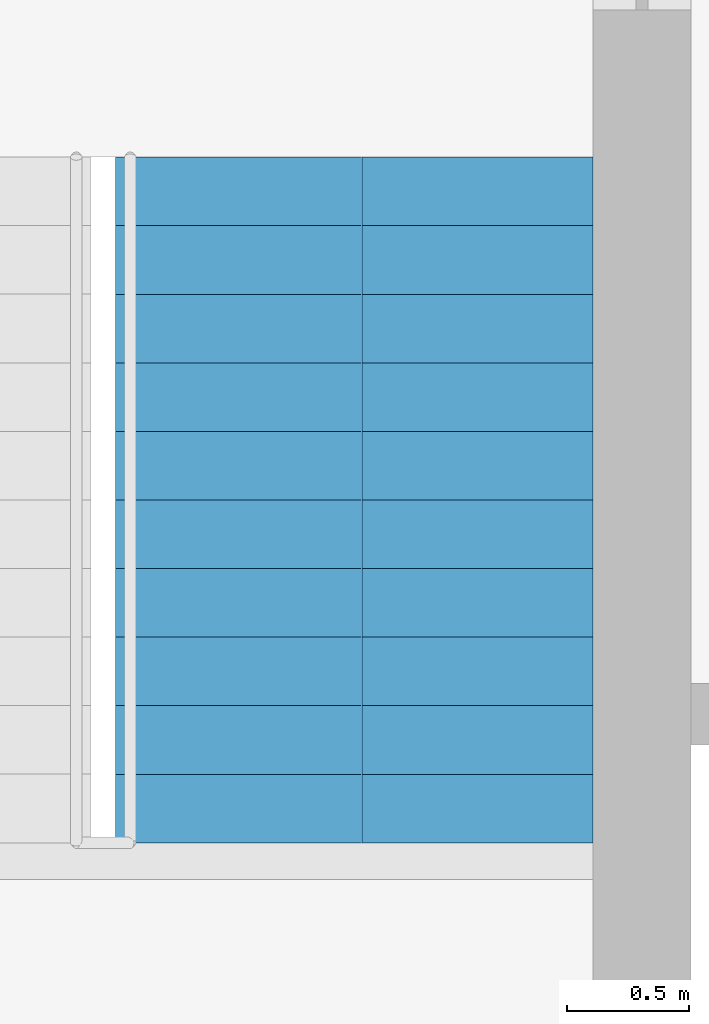
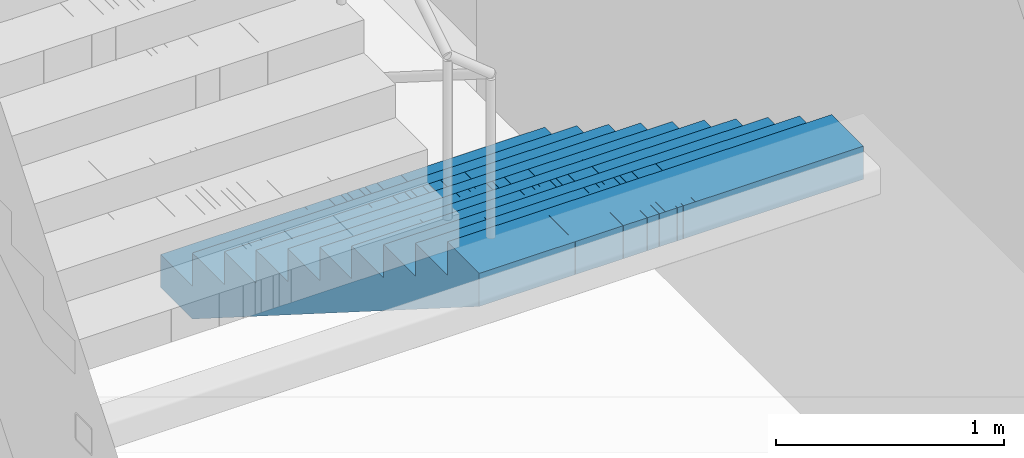
# One storey, part 19 of 20: 1 stair flight, 1 element without a shape of its own.
"""IFC4 building model written with IfcOpenShell, lengths in metres."""

from ifc_helpers import new_model, si_unit, direction, frame, origin, place, context, subcontext, project, spatial, polyline, outline, extrude, material, type_object, element, aggregate, save


model = new_model("IFC4")

# Units and contexts
model_context = context("Model", 3, precision=1e-05, world=origin(), true_north=direction((0.0, 1.0)))
body_context = subcontext(model_context, "Body", "Model", "MODEL_VIEW")
ifc_project = project(units=[si_unit("LENGTHUNIT", "METRE"), si_unit("AREAUNIT", "SQUARE_METRE"), si_unit("VOLUMEUNIT", "CUBIC_METRE"), si_unit("PLANEANGLEUNIT", "RADIAN"), si_unit("MASSUNIT", "GRAM", prefix="KILO")], contexts=[model_context])

# Site, building, storey
site_placement = place(None, origin())
site = spatial("IfcSite", under=ifc_project, at=site_placement, CompositionType="ELEMENT")
building_placement = place(site_placement, origin())
building = spatial("IfcBuilding", under=site, at=building_placement, Name="Mizan Broadcast Tower", CompositionType="ELEMENT")
storey_placement = place(building_placement, frame((0.0, 0.0, 147.60009765625)))
storey = spatial("IfcBuildingStorey", under=building, at=storey_placement, Name="L33", CompositionType="ELEMENT", Elevation=147.60009765625)

# Stair, stair flight
ifc_material_1 = material(Name="Concrete C40/50", Category="concrete")
stair_type = type_object("IfcStairType", Name="EXIT STAIR", PredefinedType="HALF_TURN_STAIR", material=ifc_material_1)
stair_placement = place(storey_placement, origin())
stair = element("IfcStair", 1, at=stair_placement, inside=storey, type_object=stair_type, Name="Stair B L33", PredefinedType="HALF_TURN_STAIR")
ifc_material_2 = material(Name="Concrete C40/50", Category="concrete")
stair_flight_type = type_object("IfcStairFlightType", Name="EXIT STAIR FLIGHT", PredefinedType="STRAIGHT", material=ifc_material_2)
stair_flight_placement = place(storey_placement, frame((1.02490234375, 7.89990234375, 0.0), z_axis=(0.0, 0.0, 1.0), x_axis=(0.0, -1.0, 0.0)))
stair_flight = element("IfcStairFlight", 2, at=stair_flight_placement, type_object=stair_flight_type, Name="B flight 1", NumberOfRisers=11, NumberOfTreads=10, PredefinedType="STRAIGHT", RiserHeight=0.177272727, TreadLength=0.28, context=body_context, shape_type="SweptSolid", body=[
    extrude(outline(polyline([(0.0, 0.0), (0.0, 0.17724609375), (0.280029296875, 0.17724609375), (0.280029296875, 0.3544921875), (0.56005859375, 0.3544921875), (0.56005859375, 0.53173828125), (0.840087890625, 0.53173828125), (0.840087890625, 0.708984375), (1.1201171875, 0.708984375), (1.1201171875, 0.886474609375), (1.39990234375, 0.886474609375), (1.39990234375, 1.063720703125), (1.679931640625, 1.063720703125), (1.679931640625, 1.240966796875), (1.9599609375, 1.240966796875), (1.9599609375, 1.418212890625), (2.239990234375, 1.418212890625), (2.239990234375, 1.595458984375), (2.52001953125, 1.595458984375), (2.52001953125, 1.772705078125), (2.800048828125, 1.772705078125), (2.800048828125, 1.949951171875), (2.800048828125, 1.59521484375), (0.2802734375, 0.0), (0.0, 0.0)])), frame((0.0, 0.97509765625, 0.0), z_axis=(0.0, -1.0, 0.0), x_axis=(1.0, 0.0, 0.0)), (0.0, 0.0, 1.0), 0.4873046875),
    extrude(outline(polyline([(0.0, 0.0), (0.0, 0.17724609375), (0.280029296875, 0.17724609375), (0.280029296875, 0.3544921875), (0.56005859375, 0.3544921875), (0.56005859375, 0.53173828125), (0.840087890625, 0.53173828125), (0.840087890625, 0.708984375), (1.1201171875, 0.708984375), (1.1201171875, 0.886474609375), (1.39990234375, 0.886474609375), (1.39990234375, 1.063720703125), (1.679931640625, 1.063720703125), (1.679931640625, 1.240966796875), (1.9599609375, 1.240966796875), (1.9599609375, 1.418212890625), (2.239990234375, 1.418212890625), (2.239990234375, 1.595458984375), (2.52001953125, 1.595458984375), (2.52001953125, 1.772705078125), (2.800048828125, 1.772705078125), (2.800048828125, 1.949951171875), (2.800048828125, 1.59521484375), (0.2802734375, 0.0), (0.0, 0.0)])), frame((0.0, 0.4873046875, 0.0), z_axis=(0.0, -1.0, 0.0), x_axis=(1.0, 0.0, 0.0)), (0.0, 0.0, 1.0), 0.2431640625),
    extrude(outline(polyline([(0.0, 0.0), (0.0, 0.17724609375), (0.280029296875, 0.17724609375), (0.280029296875, 0.3544921875), (0.56005859375, 0.3544921875), (0.56005859375, 0.53173828125), (0.840087890625, 0.53173828125), (0.840087890625, 0.708984375), (1.1201171875, 0.708984375), (1.1201171875, 0.886474609375), (1.39990234375, 0.886474609375), (1.39990234375, 1.063720703125), (1.679931640625, 1.063720703125), (1.679931640625, 1.240966796875), (1.9599609375, 1.240966796875), (1.9599609375, 1.418212890625), (2.239990234375, 1.418212890625), (2.239990234375, 1.595458984375), (2.52001953125, 1.595458984375), (2.52001953125, 1.772705078125), (2.800048828125, 1.772705078125), (2.800048828125, 1.949951171875), (2.800048828125, 1.59521484375), (0.2802734375, 0.0), (0.0, 0.0)])), frame((0.0, 0.24365234375, 0.0), z_axis=(0.0, -1.0, 0.0), x_axis=(1.0, 0.0, 0.0)), (0.0, 0.0, 1.0), 0.121337890625),
    extrude(outline(polyline([(0.0, 0.0), (0.0, 0.17724609375), (0.280029296875, 0.17724609375), (0.280029296875, 0.3544921875), (0.56005859375, 0.3544921875), (0.56005859375, 0.53173828125), (0.840087890625, 0.53173828125), (0.840087890625, 0.708984375), (1.1201171875, 0.708984375), (1.1201171875, 0.886474609375), (1.39990234375, 0.886474609375), (1.39990234375, 1.063720703125), (1.679931640625, 1.063720703125), (1.679931640625, 1.240966796875), (1.9599609375, 1.240966796875), (1.9599609375, 1.418212890625), (2.239990234375, 1.418212890625), (2.239990234375, 1.595458984375), (2.52001953125, 1.595458984375), (2.52001953125, 1.772705078125), (2.800048828125, 1.772705078125), (2.800048828125, 1.949951171875), (2.800048828125, 1.59521484375), (0.2802734375, 0.0), (0.0, 0.0)])), frame((0.0, 0.121826171875, 0.0), z_axis=(0.0, -1.0, 0.0), x_axis=(1.0, 0.0, 0.0)), (0.0, 0.0, 1.0), 0.060546875),
    extrude(outline(polyline([(0.0, 0.0), (0.0, 0.17724609375), (0.280029296875, 0.17724609375), (0.280029296875, 0.3544921875), (0.56005859375, 0.3544921875), (0.56005859375, 0.53173828125), (0.840087890625, 0.53173828125), (0.840087890625, 0.708984375), (1.1201171875, 0.708984375), (1.1201171875, 0.886474609375), (1.39990234375, 0.886474609375), (1.39990234375, 1.063720703125), (1.679931640625, 1.063720703125), (1.679931640625, 1.240966796875), (1.9599609375, 1.240966796875), (1.9599609375, 1.418212890625), (2.239990234375, 1.418212890625), (2.239990234375, 1.595458984375), (2.52001953125, 1.595458984375), (2.52001953125, 1.772705078125), (2.800048828125, 1.772705078125), (2.800048828125, 1.949951171875), (2.800048828125, 1.59521484375), (0.2802734375, 0.0), (0.0, 0.0)])), frame((0.0, 0.060791015625, 0.0), z_axis=(0.0, -1.0, 0.0), x_axis=(1.0, 0.0, 0.0)), (0.0, 0.0, 1.0), 0.030029296875),
    extrude(outline(polyline([(0.0, 0.0), (0.0, 0.17724609375), (0.280029296875, 0.17724609375), (0.280029296875, 0.3544921875), (0.56005859375, 0.3544921875), (0.56005859375, 0.53173828125), (0.840087890625, 0.53173828125), (0.840087890625, 0.708984375), (1.1201171875, 0.708984375), (1.1201171875, 0.886474609375), (1.39990234375, 0.886474609375), (1.39990234375, 1.063720703125), (1.679931640625, 1.063720703125), (1.679931640625, 1.240966796875), (1.9599609375, 1.240966796875), (1.9599609375, 1.418212890625), (2.239990234375, 1.418212890625), (2.239990234375, 1.595458984375), (2.52001953125, 1.595458984375), (2.52001953125, 1.772705078125), (2.800048828125, 1.772705078125), (2.800048828125, 1.949951171875), (2.800048828125, 1.59521484375), (0.2802734375, 0.0), (0.0, 0.0)])), frame((0.0, 0.0302734375, 0.0), z_axis=(0.0, -1.0, 0.0), x_axis=(1.0, 0.0, 0.0)), (0.0, 0.0, 1.0), 0.060302734375),
    extrude(outline(polyline([(0.0, 0.0), (0.0, 0.17724609375), (0.280029296875, 0.17724609375), (0.280029296875, 0.3544921875), (0.56005859375, 0.3544921875), (0.56005859375, 0.53173828125), (0.840087890625, 0.53173828125), (0.840087890625, 0.708984375), (1.1201171875, 0.708984375), (1.1201171875, 0.886474609375), (1.39990234375, 0.886474609375), (1.39990234375, 1.063720703125), (1.679931640625, 1.063720703125), (1.679931640625, 1.240966796875), (1.9599609375, 1.240966796875), (1.9599609375, 1.418212890625), (2.239990234375, 1.418212890625), (2.239990234375, 1.595458984375), (2.52001953125, 1.595458984375), (2.52001953125, 1.772705078125), (2.800048828125, 1.772705078125), (2.800048828125, 1.949951171875), (2.800048828125, 1.59521484375), (0.2802734375, 0.0), (0.0, 0.0)])), frame((0.0, -0.030517578125, 0.0), z_axis=(0.0, -1.0, 0.0), x_axis=(1.0, 0.0, 0.0)), (0.0, 0.0, 1.0), 0.030029296875),
    extrude(outline(polyline([(0.0, 0.0), (0.0, 0.17724609375), (0.280029296875, 0.17724609375), (0.280029296875, 0.3544921875), (0.56005859375, 0.3544921875), (0.56005859375, 0.53173828125), (0.840087890625, 0.53173828125), (0.840087890625, 0.708984375), (1.1201171875, 0.708984375), (1.1201171875, 0.886474609375), (1.39990234375, 0.886474609375), (1.39990234375, 1.063720703125), (1.679931640625, 1.063720703125), (1.679931640625, 1.240966796875), (1.9599609375, 1.240966796875), (1.9599609375, 1.418212890625), (2.239990234375, 1.418212890625), (2.239990234375, 1.595458984375), (2.52001953125, 1.595458984375), (2.52001953125, 1.772705078125), (2.800048828125, 1.772705078125), (2.800048828125, 1.949951171875), (2.800048828125, 1.59521484375), (0.2802734375, 0.0), (0.0, 0.0)])), frame((0.0, -0.06103515625, 0.0), z_axis=(0.0, -1.0, 0.0), x_axis=(1.0, 0.0, 0.0)), (0.0, 0.0, 1.0), 0.060546875),
    extrude(outline(polyline([(0.0, 0.0), (0.0, 0.17724609375), (0.280029296875, 0.17724609375), (0.280029296875, 0.3544921875), (0.56005859375, 0.3544921875), (0.56005859375, 0.53173828125), (0.840087890625, 0.53173828125), (0.840087890625, 0.708984375), (1.1201171875, 0.708984375), (1.1201171875, 0.886474609375), (1.39990234375, 0.886474609375), (1.39990234375, 1.063720703125), (1.679931640625, 1.063720703125), (1.679931640625, 1.240966796875), (1.9599609375, 1.240966796875), (1.9599609375, 1.418212890625), (2.239990234375, 1.418212890625), (2.239990234375, 1.595458984375), (2.52001953125, 1.595458984375), (2.52001953125, 1.772705078125), (2.800048828125, 1.772705078125), (2.800048828125, 1.949951171875), (2.800048828125, 1.59521484375), (0.2802734375, 0.0), (0.0, 0.0)])), frame((0.0, -0.1220703125, 0.0), z_axis=(0.0, -1.0, 0.0), x_axis=(1.0, 0.0, 0.0)), (0.0, 0.0, 1.0), 0.121337890625),
    extrude(outline(polyline([(0.0, 0.0), (0.0, 0.17724609375), (0.280029296875, 0.17724609375), (0.280029296875, 0.3544921875), (0.56005859375, 0.3544921875), (0.56005859375, 0.53173828125), (0.840087890625, 0.53173828125), (0.840087890625, 0.708984375), (1.1201171875, 0.708984375), (1.1201171875, 0.886474609375), (1.39990234375, 0.886474609375), (1.39990234375, 1.063720703125), (1.679931640625, 1.063720703125), (1.679931640625, 1.240966796875), (1.9599609375, 1.240966796875), (1.9599609375, 1.418212890625), (2.239990234375, 1.418212890625), (2.239990234375, 1.595458984375), (2.52001953125, 1.595458984375), (2.52001953125, 1.772705078125), (2.800048828125, 1.772705078125), (2.800048828125, 1.949951171875), (2.800048828125, 1.59521484375), (0.2802734375, 0.0), (0.0, 0.0)])), frame((0.0, -0.243896484375, 0.0), z_axis=(0.0, -1.0, 0.0), x_axis=(1.0, 0.0, 0.0)), (0.0, 0.0, 1.0), 0.2431640625),
    extrude(outline(polyline([(0.0, 0.0), (0.0, 0.17724609375), (0.280029296875, 0.17724609375), (0.280029296875, 0.3544921875), (0.56005859375, 0.3544921875), (0.56005859375, 0.53173828125), (0.840087890625, 0.53173828125), (0.840087890625, 0.708984375), (1.1201171875, 0.708984375), (1.1201171875, 0.886474609375), (1.39990234375, 0.886474609375), (1.39990234375, 1.063720703125), (1.679931640625, 1.063720703125), (1.679931640625, 1.240966796875), (1.9599609375, 1.240966796875), (1.9599609375, 1.418212890625), (2.239990234375, 1.418212890625), (2.239990234375, 1.595458984375), (2.52001953125, 1.595458984375), (2.52001953125, 1.772705078125), (2.800048828125, 1.772705078125), (2.800048828125, 1.949951171875), (2.800048828125, 1.59521484375), (0.2802734375, 0.0), (0.0, 0.0)])), frame((0.0, -0.487548828125, 0.0), z_axis=(0.0, -1.0, 0.0), x_axis=(1.0, 0.0, 0.0)), (0.0, 0.0, 1.0), 0.4873046875),
])
aggregate(stair, [stair_flight])

save(model, "model.ifc")
